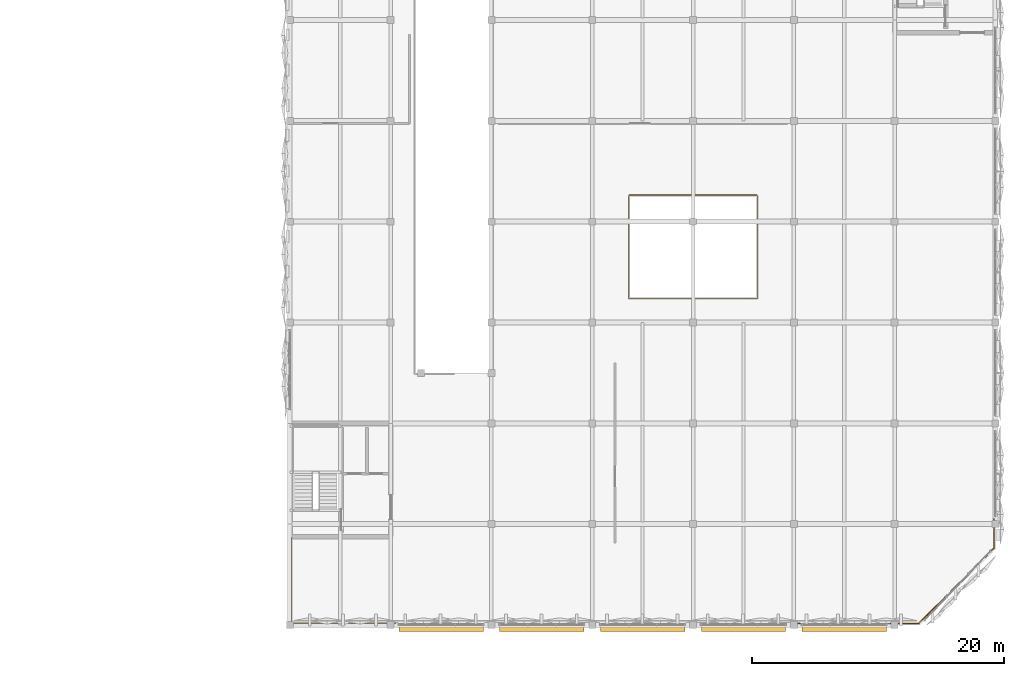
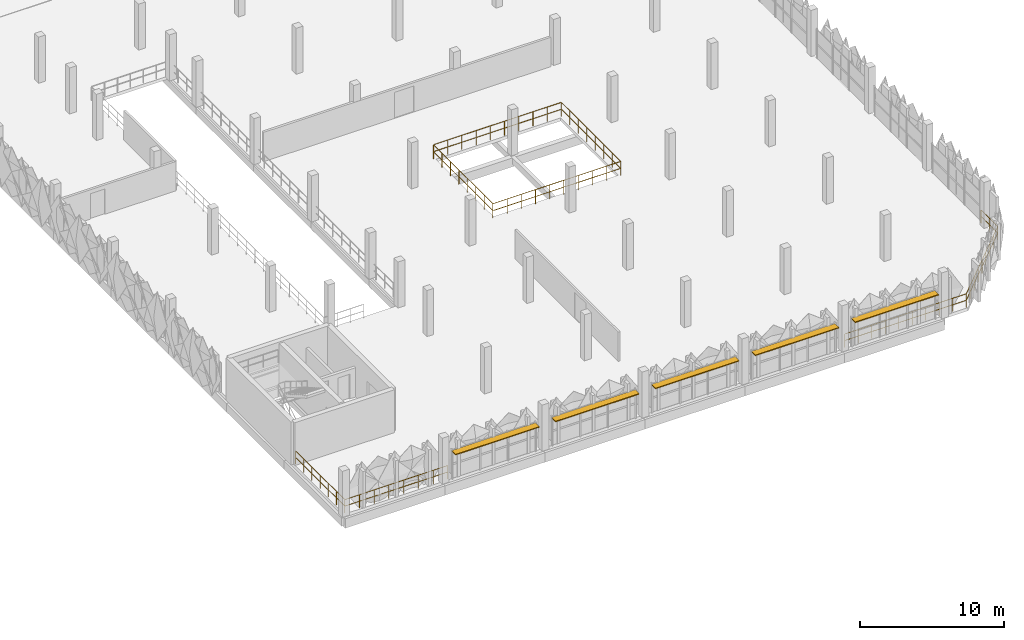
# One storey, part 77 of 83: 5 shading devices, 3 railings.
"""IFC4 building model written with IfcOpenShell, lengths in metres."""

import ifcopenshell
import ifcopenshell.guid

model = None  # the IFC model being written
_history = None  # IfcOwnerHistory: only IFC2X3 demands one
_inside = {}  # id of a spatial element -> (the spatial element, [elements in it])
_under = {}  # id of a project, library or spatial element -> (it, [spatial elements below it])
_declared = {}  # id of a project -> (the project, [libraries it declares])
_typed = {}  # id of a type object -> (the type object, [elements of that type])
_made_of = {}  # id of a material, layer set ... -> (it, [elements and type objects made of it])


def new_model(schema):
    """Start an empty IFC model of exactly this schema.

    Asked for "IFC4X3", IfcOpenShell would pick the latest addendum, in which some entities
    have other attributes; the version numbers below select the first issue.
    IFC2X3 requires an IfcOwnerHistory on every rooted entity: one is made here for all.
    """
    global model, _history
    if schema == "IFC4X3":
        model = ifcopenshell.file(schema_version=(4, 3, 0, 0))
    else:
        model = ifcopenshell.file(schema=schema)
    _inside.clear()
    _under.clear()
    _declared.clear()
    _typed.clear()
    _made_of.clear()
    _history = None
    if model.schema == "IFC2X3":
        org = make("IfcOrganization", Name="unknown")
        user = make(
            "IfcPersonAndOrganization",
            ThePerson=make("IfcPerson", FamilyName="unknown"),
            TheOrganization=org,
        )
        app = make(
            "IfcApplication",
            ApplicationDeveloper=org,
            Version="unknown",
            ApplicationFullName="unknown",
            ApplicationIdentifier="unknown",
        )
        _history = make(
            "IfcOwnerHistory",
            OwningUser=user,
            OwningApplication=app,
            ChangeAction="ADDED",
            CreationDate=0,
        )
    return model


def make(cls, **values):
    """One entity of the class cls with the attributes given. An attribute that is None is left unset."""
    return model.create_entity(
        cls, **{name: value for name, value in values.items() if value is not None}
    )


def rooted(cls, **values):
    """An entity with a GlobalId (a new one), such as an element, a storey or a relation."""
    return make(cls, GlobalId=ifcopenshell.guid.new(), OwnerHistory=_history, **values)


def si_unit(unit_type, name, prefix=None):
    """IfcSIUnit, for example si_unit("LENGTHUNIT", "METRE", prefix="MILLI")."""
    return make("IfcSIUnit", UnitType=unit_type, Prefix=prefix, Name=name)


def derived_unit(unit_type, elements):
    """IfcDerivedUnit: a product of units, each with its exponent."""
    return make(
        "IfcDerivedUnit",
        Elements=[
            make("IfcDerivedUnitElement", Unit=unit, Exponent=power)
            for unit, power in elements
        ],
        UnitType=unit_type,
    )


def assignment(units):
    """IfcUnitAssignment: the units of a project."""
    return None if units is None else make("IfcUnitAssignment", Units=units)


def point(xyz):
    """IfcCartesianPoint."""
    return None if xyz is None else make("IfcCartesianPoint", Coordinates=xyz)


def direction(xyz):
    """IfcDirection."""
    return None if xyz is None else make("IfcDirection", DirectionRatios=xyz)


def frame(location, z_axis=None, x_axis=None):
    """IfcAxis2Placement3D, a coordinate frame: its origin and axes. An axis left out is left unset."""
    return make(
        "IfcAxis2Placement3D",
        Location=point(location),
        Axis=direction(z_axis),
        RefDirection=direction(x_axis),
    )


def frame_2d(location, x_axis=None):
    """IfcAxis2Placement2D, a coordinate frame in the plane: its origin and x axis."""
    return make(
        "IfcAxis2Placement2D", Location=point(location), RefDirection=direction(x_axis)
    )


def origin():
    """The frame at (0, 0, 0) with its axes left unset."""
    return frame((0.0, 0.0, 0.0))


def origin_2d():
    """The frame at (0, 0) in the plane with its x axis left unset."""
    return frame_2d((0.0, 0.0))


def place(relative_to, where):
    """IfcLocalPlacement: puts the frame where relative to a parent placement (None: the world)."""
    return make(
        "IfcLocalPlacement", PlacementRelTo=relative_to, RelativePlacement=where
    )


def context(
    kind, dimensions, precision=None, world=None, true_north=None, identifier=None
):
    """IfcGeometricRepresentationContext, for example the 3D "Model" context."""
    return make(
        "IfcGeometricRepresentationContext",
        ContextIdentifier=identifier,
        ContextType=kind,
        CoordinateSpaceDimension=dimensions,
        Precision=precision,
        WorldCoordinateSystem=world,
        TrueNorth=true_north,
    )


def subcontext(parent, identifier, kind, view, scale=None):
    """IfcGeometricRepresentationSubContext, for example "Body" below "Model"."""
    return make(
        "IfcGeometricRepresentationSubContext",
        ContextIdentifier=identifier,
        ContextType=kind,
        ParentContext=parent,
        TargetScale=scale,
        TargetView=view,
    )


def project(units=None, contexts=None):
    """IfcProject with its units and contexts."""
    return rooted(
        "IfcProject",
        Name="project",
        RepresentationContexts=contexts,
        UnitsInContext=assignment(units),
    )


def spatial(cls, under=None, at=None, **own):
    """A site, building, storey or space (cls), placed at a placement, below another one or the project."""
    s = rooted(cls, ObjectPlacement=at, **own)
    if under is not None:
        _under.setdefault(under.id(), (under, []))[1].append(s)
    return s


def profile(cls, at=None, kind="AREA", **sizes):
    """A parametric profile (cls). Its sizes go by their IFC names, for example OverallWidth=200.0."""
    return make(cls, ProfileType=kind, Position=at, **sizes)


def rectangle(**sizes):
    """IfcRectangleProfileDef."""
    return profile("IfcRectangleProfileDef", **sizes)


def circle(**sizes):
    """IfcCircleProfileDef."""
    return profile("IfcCircleProfileDef", **sizes)


def extrude(swept, where, along, depth):
    """IfcExtrudedAreaSolid: the profile swept, set in the frame where, extruded along a direction by depth."""
    return make(
        "IfcExtrudedAreaSolid",
        SweptArea=swept,
        Position=where,
        ExtrudedDirection=direction(along),
        Depth=depth,
    )


def shape(context_of_items, identifier, shape_type, items):
    """IfcShapeRepresentation: the items that make up one representation, for example the "Body"."""
    return make(
        "IfcShapeRepresentation",
        ContextOfItems=context_of_items,
        RepresentationIdentifier=identifier,
        RepresentationType=shape_type,
        Items=items,
    )


def material(Name=None, Category=None):
    """IfcMaterial."""
    return make("IfcMaterial", Name=Name, Category=Category)


def material_profile(
    of_material, cross_section, Name=None, Category=None, Priority=None
):
    """IfcMaterialProfile: a cross section and its material."""
    return make(
        "IfcMaterialProfile",
        Name=Name,
        Material=of_material,
        Profile=cross_section,
        Priority=Priority,
        Category=Category,
    )


def profile_set(profiles, Name=None, composite=None):
    """IfcMaterialProfileSet."""
    return make(
        "IfcMaterialProfileSet",
        Name=Name,
        MaterialProfiles=profiles,
        CompositeProfile=composite,
    )


def made_of(thing, what):
    """Note that an element or type object is made of a material, layer set ...; save() writes the relation."""
    if what is not None:
        _made_of.setdefault(what.id(), (what, []))[1].append(thing)
    return thing


def type_object(cls, material=None, **own):
    """A type object (cls), such as IfcWallType, which elements share."""
    return made_of(rooted(cls, **own), material)


def element(
    cls,
    number,
    at=None,
    inside=None,
    cuts=None,
    type_object=None,
    material=None,
    context=None,
    identifier="Body",
    shape_type=None,
    held_by="IfcProductDefinitionShape",
    body=None,
    shapes=None,
    **own,
):
    """One element of the class cls, such as IfcWall. Its Tag is "e" and its number.

    at: its placement. inside: the storey or other place that contains it. cuts: it is an
    opening in that element (IfcRelVoidsElement). A single representation is given by context,
    identifier, shape_type and body (its items); several are given by shapes. held_by: the class
    of the entity that holds the representations. save() writes the other relations.
    """
    e = rooted(cls, Tag="e%d" % number, ObjectPlacement=at, **own)
    if body is not None:
        shapes = [shape(context, identifier, shape_type, body)]
    if shapes is not None:
        e.Representation = make(held_by, Representations=shapes)
    if inside is not None:
        _inside.setdefault(inside.id(), (inside, []))[1].append(e)
    if cuts is not None:
        rooted(
            "IfcRelVoidsElement", RelatingBuildingElement=cuts, RelatedOpeningElement=e
        )
    if type_object is not None:
        _typed.setdefault(type_object.id(), (type_object, []))[1].append(e)
    return made_of(e, material)


def aggregate(whole, parts):
    """IfcRelAggregates: a whole, such as a stair, and the parts it consists of."""
    return rooted("IfcRelAggregates", RelatingObject=whole, RelatedObjects=parts)


def save(model, path):
    """Write the relations noted so far, then the file.

    IfcRelAggregates (storeys below a building ...), IfcRelContainedInSpatialStructure (elements
    in a storey), IfcRelDefinesByType, IfcRelAssociatesMaterial and IfcRelDeclares: one each for
    every whole, place, type object, material and project.
    """
    for whole, parts in _under.values():
        aggregate(whole, parts)
    for where, things in _inside.values():
        rooted(
            "IfcRelContainedInSpatialStructure",
            RelatedElements=things,
            RelatingStructure=where,
        )
    for kind, things in _typed.values():
        rooted("IfcRelDefinesByType", RelatedObjects=things, RelatingType=kind)
    for what, things in _made_of.values():
        rooted("IfcRelAssociatesMaterial", RelatedObjects=things, RelatingMaterial=what)
    for by, libraries in _declared.values():
        rooted("IfcRelDeclares", RelatingContext=by, RelatedDefinitions=libraries)
    model.write(path)


model = new_model("IFC4")

# Units and contexts
model_context = context("Model", 3, precision=1e-05, world=origin(), true_north=direction((0.0, 1.0)))
body_context = subcontext(model_context, "Body", "Model", "MODEL_VIEW")
ifc_project = project(units=[si_unit("LENGTHUNIT", "METRE"), si_unit("AREAUNIT", "SQUARE_METRE"), si_unit("VOLUMEUNIT", "CUBIC_METRE"), si_unit("PLANEANGLEUNIT", "RADIAN"), si_unit("MASSUNIT", "GRAM", prefix="KILO"), si_unit("THERMODYNAMICTEMPERATUREUNIT", "KELVIN"), derived_unit("THERMALTRANSMITTANCEUNIT", [(si_unit("POWERUNIT", "WATT"), 1), (si_unit("AREAUNIT", "SQUARE_METRE"), -1), (si_unit("THERMODYNAMICTEMPERATUREUNIT", "KELVIN"), -1)])], contexts=[model_context])

# Site, building, storey
site_placement = place(None, origin())
site = spatial("IfcSite", under=ifc_project, at=site_placement, CompositionType="ELEMENT")
building_placement = place(site_placement, origin())
building = spatial("IfcBuilding", under=site, at=building_placement, Name="Haiyu Intermodal Mobility Hub", CompositionType="ELEMENT")
storey_placement = place(building_placement, frame((0.0, 0.0, 13.39990234375)))
storey = spatial("IfcBuildingStorey", under=building, at=storey_placement, Name="L03", CompositionType="ELEMENT", Elevation=13.39990234375)

# Railings
ifc_material_1 = material(Name="Steel Q355C", Category="steel")
railing_type_1 = type_object("IfcRailingType", Name="RAL-GR02", PredefinedType="GUARDRAIL", material=ifc_material_1)
railing_1_placement = place(storey_placement, frame((180.8798828125, 41.8798828125, 0.0)))
element("IfcRailing", 1, at=railing_1_placement, inside=storey, type_object=railing_type_1, Name="RAL-V5ATR-L03", PredefinedType="GUARDRAIL", context=body_context, shape_type="SweptSolid", body=[
    extrude(circle(Radius=0.02392578125, at=origin_2d()), frame((0.030029296875, 0.0, 1.19580078125), z_axis=(1.0, 0.0, 0.0), x_axis=(0.0, 1.0, 0.0)), (0.0, 0.0, 1.0), 10.18017578125),
    extrude(circle(Radius=0.02392578125, at=origin_2d()), frame((0.037353515625, 0.0, 0.60986328125), z_axis=(1.0, 0.0, 0.0), x_axis=(0.0, 1.0, 0.0)), (0.0, 0.0, 1.0), 1.063232421875),
    extrude(circle(Radius=0.02392578125, at=origin_2d()), frame((1.175048828125, 0.0, 0.60986328125), z_axis=(1.0, 0.0, 0.0), x_axis=(0.0, 1.0, 0.0)), (0.0, 0.0, 1.0), 1.063232421875),
    extrude(circle(Radius=0.02392578125, at=origin_2d()), frame((2.31298828125, 0.0, 0.60986328125), z_axis=(1.0, 0.0, 0.0), x_axis=(0.0, 1.0, 0.0)), (0.0, 0.0, 1.0), 1.063232421875),
    extrude(circle(Radius=0.02392578125, at=origin_2d()), frame((3.45068359375, 0.0, 0.60986328125), z_axis=(1.0, 0.0, 0.0), x_axis=(0.0, 1.0, 0.0)), (0.0, 0.0, 1.0), 1.063232421875),
    extrude(circle(Radius=0.02392578125, at=origin_2d()), frame((4.588623046875, 0.0, 0.60986328125), z_axis=(1.0, 0.0, 0.0), x_axis=(0.0, 1.0, 0.0)), (0.0, 0.0, 1.0), 1.063232421875),
    extrude(circle(Radius=0.02392578125, at=origin_2d()), frame((5.726318359375, 0.0, 0.60986328125), z_axis=(1.0, 0.0, 0.0), x_axis=(0.0, 1.0, 0.0)), (0.0, 0.0, 1.0), 1.063232421875),
    extrude(circle(Radius=0.02392578125, at=origin_2d()), frame((6.864013671875, 0.0, 0.60986328125), z_axis=(1.0, 0.0, 0.0), x_axis=(0.0, 1.0, 0.0)), (0.0, 0.0, 1.0), 1.063232421875),
    extrude(circle(Radius=0.02392578125, at=origin_2d()), frame((8.001953125, 0.0, 0.60986328125), z_axis=(1.0, 0.0, 0.0), x_axis=(0.0, 1.0, 0.0)), (0.0, 0.0, 1.0), 1.063232421875),
    extrude(circle(Radius=0.02392578125, at=origin_2d()), frame((9.1396484375, 0.0, 0.60986328125), z_axis=(1.0, 0.0, 0.0), x_axis=(0.0, 1.0, 0.0)), (0.0, 0.0, 1.0), 1.063232421875),
    extrude(circle(Radius=0.02392578125, at=origin_2d()), frame((10.240234375, 0.030029296875, 1.19580078125), z_axis=(0.0, 1.0, 0.0), x_axis=(-1.0, 0.0, 0.0)), (0.0, 0.0, 1.0), 8.18017578125),
    extrude(circle(Radius=0.02392578125, at=origin_2d()), frame((10.240234375, 0.037353515625, 0.60986328125), z_axis=(0.0, 1.0, 0.0), x_axis=(-1.0, 0.0, 0.0)), (0.0, 0.0, 1.0), 1.1025390625),
    extrude(circle(Radius=0.02392578125, at=origin_2d()), frame((10.240234375, 1.21435546875, 0.60986328125), z_axis=(0.0, 1.0, 0.0), x_axis=(-1.0, 0.0, 0.0)), (0.0, 0.0, 1.0), 1.1025390625),
    extrude(circle(Radius=0.02392578125, at=origin_2d()), frame((10.240234375, 2.3916015625, 0.60986328125), z_axis=(0.0, 1.0, 0.0), x_axis=(-1.0, 0.0, 0.0)), (0.0, 0.0, 1.0), 1.1025390625),
    extrude(circle(Radius=0.02392578125, at=origin_2d()), frame((10.240234375, 3.56884765625, 0.60986328125), z_axis=(0.0, 1.0, 0.0), x_axis=(-1.0, 0.0, 0.0)), (0.0, 0.0, 1.0), 1.1025390625),
    extrude(circle(Radius=0.02392578125, at=origin_2d()), frame((10.240234375, 4.74609375, 0.60986328125), z_axis=(0.0, 1.0, 0.0), x_axis=(-1.0, 0.0, 0.0)), (0.0, 0.0, 1.0), 1.1025390625),
    extrude(circle(Radius=0.02392578125, at=origin_2d()), frame((10.240234375, 5.923095703125, 0.60986328125), z_axis=(0.0, 1.0, 0.0), x_axis=(-1.0, 0.0, 0.0)), (0.0, 0.0, 1.0), 1.1025390625),
    extrude(circle(Radius=0.02392578125, at=origin_2d()), frame((10.240234375, 7.100341796875, 0.60986328125), z_axis=(0.0, 1.0, 0.0), x_axis=(-1.0, 0.0, 0.0)), (0.0, 0.0, 1.0), 1.1025390625),
    extrude(circle(Radius=0.02392578125, at=origin_2d()), frame((10.210205078125, 8.240234375, 1.19580078125), z_axis=(-1.0, 0.0, 0.0), x_axis=(0.0, -1.0, 0.0)), (0.0, 0.0, 1.0), 10.18017578125),
    extrude(circle(Radius=0.02392578125, at=origin_2d()), frame((10.202880859375, 8.240234375, 0.60986328125), z_axis=(-1.0, 0.0, 0.0), x_axis=(0.0, -1.0, 0.0)), (0.0, 0.0, 1.0), 1.063232421875),
    extrude(circle(Radius=0.02392578125, at=origin_2d()), frame((9.065185546875, 8.240234375, 0.60986328125), z_axis=(-1.0, 0.0, 0.0), x_axis=(0.0, -1.0, 0.0)), (0.0, 0.0, 1.0), 1.063232421875),
    extrude(circle(Radius=0.02392578125, at=origin_2d()), frame((7.92724609375, 8.240234375, 0.60986328125), z_axis=(-1.0, 0.0, 0.0), x_axis=(0.0, -1.0, 0.0)), (0.0, 0.0, 1.0), 1.063232421875),
    extrude(circle(Radius=0.02392578125, at=origin_2d()), frame((6.78955078125, 8.240234375, 0.60986328125), z_axis=(-1.0, 0.0, 0.0), x_axis=(0.0, -1.0, 0.0)), (0.0, 0.0, 1.0), 1.063232421875),
    extrude(circle(Radius=0.02392578125, at=origin_2d()), frame((5.651611328125, 8.240234375, 0.60986328125), z_axis=(-1.0, 0.0, 0.0), x_axis=(0.0, -1.0, 0.0)), (0.0, 0.0, 1.0), 1.063232421875),
    extrude(circle(Radius=0.02392578125, at=origin_2d()), frame((4.513916015625, 8.240234375, 0.60986328125), z_axis=(-1.0, 0.0, 0.0), x_axis=(0.0, -1.0, 0.0)), (0.0, 0.0, 1.0), 1.063232421875),
    extrude(circle(Radius=0.02392578125, at=origin_2d()), frame((3.376220703125, 8.240234375, 0.60986328125), z_axis=(-1.0, 0.0, 0.0), x_axis=(0.0, -1.0, 0.0)), (0.0, 0.0, 1.0), 1.063232421875),
    extrude(circle(Radius=0.02392578125, at=origin_2d()), frame((2.23828125, 8.240234375, 0.60986328125), z_axis=(-1.0, 0.0, 0.0), x_axis=(0.0, -1.0, 0.0)), (0.0, 0.0, 1.0), 1.063232421875),
    extrude(circle(Radius=0.02392578125, at=origin_2d()), frame((1.1005859375, 8.240234375, 0.60986328125), z_axis=(-1.0, 0.0, 0.0), x_axis=(0.0, -1.0, 0.0)), (0.0, 0.0, 1.0), 1.063232421875),
    extrude(circle(Radius=0.02392578125, at=origin_2d()), frame((0.0, 8.210205078125, 1.19580078125), z_axis=(0.0, -1.0, 0.0), x_axis=(1.0, 0.0, 0.0)), (0.0, 0.0, 1.0), 8.18017578125),
    extrude(circle(Radius=0.02392578125, at=origin_2d()), frame((0.0, 8.202880859375, 0.60986328125), z_axis=(0.0, -1.0, 0.0), x_axis=(1.0, 0.0, 0.0)), (0.0, 0.0, 1.0), 1.1025390625),
    extrude(circle(Radius=0.02392578125, at=origin_2d()), frame((0.0, 7.02587890625, 0.60986328125), z_axis=(0.0, -1.0, 0.0), x_axis=(1.0, 0.0, 0.0)), (0.0, 0.0, 1.0), 1.1025390625),
    extrude(circle(Radius=0.02392578125, at=origin_2d()), frame((0.0, 5.8486328125, 0.60986328125), z_axis=(0.0, -1.0, 0.0), x_axis=(1.0, 0.0, 0.0)), (0.0, 0.0, 1.0), 1.1025390625),
    extrude(circle(Radius=0.02392578125, at=origin_2d()), frame((0.0, 4.67138671875, 0.60986328125), z_axis=(0.0, -1.0, 0.0), x_axis=(1.0, 0.0, 0.0)), (0.0, 0.0, 1.0), 1.1025390625),
    extrude(circle(Radius=0.02392578125, at=origin_2d()), frame((0.0, 3.494140625, 0.60986328125), z_axis=(0.0, -1.0, 0.0), x_axis=(1.0, 0.0, 0.0)), (0.0, 0.0, 1.0), 1.1025390625),
    extrude(circle(Radius=0.02392578125, at=origin_2d()), frame((0.0, 2.317138671875, 0.60986328125), z_axis=(0.0, -1.0, 0.0), x_axis=(1.0, 0.0, 0.0)), (0.0, 0.0, 1.0), 1.1025390625),
    extrude(circle(Radius=0.02392578125, at=origin_2d()), frame((0.0, 1.139892578125, 0.60986328125), z_axis=(0.0, -1.0, 0.0), x_axis=(1.0, 0.0, 0.0)), (0.0, 0.0, 1.0), 1.1025390625),
    extrude(circle(Radius=0.02099609375, at=origin_2d()), origin(), (0.0, 0.0, 1.0), 1.163818359375),
    extrude(circle(Radius=0.02099609375, at=origin_2d()), frame((1.1376953125, 0.0, 0.0)), (0.0, 0.0, 1.0), 1.163818359375),
    extrude(circle(Radius=0.02099609375, at=origin_2d()), frame((2.275634765625, 0.0, 0.0)), (0.0, 0.0, 1.0), 1.163818359375),
    extrude(circle(Radius=0.02099609375, at=origin_2d()), frame((3.413330078125, 0.0, 0.0)), (0.0, 0.0, 1.0), 1.163818359375),
    extrude(circle(Radius=0.02099609375, at=origin_2d()), frame((4.55126953125, 0.0, 0.0)), (0.0, 0.0, 1.0), 1.163818359375),
    extrude(circle(Radius=0.02099609375, at=origin_2d()), frame((5.68896484375, 0.0, 0.0)), (0.0, 0.0, 1.0), 1.163818359375),
    extrude(circle(Radius=0.02099609375, at=origin_2d()), frame((6.826904296875, 0.0, 0.0)), (0.0, 0.0, 1.0), 1.163818359375),
    extrude(circle(Radius=0.02099609375, at=origin_2d()), frame((7.964599609375, 0.0, 0.0)), (0.0, 0.0, 1.0), 1.163818359375),
    extrude(circle(Radius=0.02099609375, at=origin_2d()), frame((9.1025390625, 0.0, 0.0)), (0.0, 0.0, 1.0), 1.163818359375),
    extrude(circle(Radius=0.02099609375, at=origin_2d()), frame((10.240234375, 0.0, 0.0)), (0.0, 0.0, 1.0), 1.163818359375),
    extrude(circle(Radius=0.02099609375, at=origin_2d()), frame((10.240234375, 1.17724609375, 0.0)), (0.0, 0.0, 1.0), 1.163818359375),
    extrude(circle(Radius=0.02099609375, at=origin_2d()), frame((10.240234375, 2.354248046875, 0.0)), (0.0, 0.0, 1.0), 1.163818359375),
    extrude(circle(Radius=0.02099609375, at=origin_2d()), frame((10.240234375, 3.531494140625, 0.0)), (0.0, 0.0, 1.0), 1.163818359375),
    extrude(circle(Radius=0.02099609375, at=origin_2d()), frame((10.240234375, 4.708740234375, 0.0)), (0.0, 0.0, 1.0), 1.163818359375),
    extrude(circle(Radius=0.02099609375, at=origin_2d()), frame((10.240234375, 5.885986328125, 0.0)), (0.0, 0.0, 1.0), 1.163818359375),
    extrude(circle(Radius=0.02099609375, at=origin_2d()), frame((10.240234375, 7.06298828125, 0.0)), (0.0, 0.0, 1.0), 1.163818359375),
    extrude(circle(Radius=0.02099609375, at=origin_2d()), frame((10.240234375, 8.240234375, 0.0)), (0.0, 0.0, 1.0), 1.163818359375),
    extrude(circle(Radius=0.02099609375, at=origin_2d()), frame((9.1025390625, 8.240234375, 0.0)), (0.0, 0.0, 1.0), 1.163818359375),
    extrude(circle(Radius=0.02099609375, at=origin_2d()), frame((7.964599609375, 8.240234375, 0.0)), (0.0, 0.0, 1.0), 1.163818359375),
    extrude(circle(Radius=0.02099609375, at=origin_2d()), frame((6.826904296875, 8.240234375, 0.0)), (0.0, 0.0, 1.0), 1.163818359375),
    extrude(circle(Radius=0.02099609375, at=origin_2d()), frame((5.68896484375, 8.240234375, 0.0)), (0.0, 0.0, 1.0), 1.163818359375),
    extrude(circle(Radius=0.02099609375, at=origin_2d()), frame((4.55126953125, 8.240234375, 0.0)), (0.0, 0.0, 1.0), 1.163818359375),
    extrude(circle(Radius=0.02099609375, at=origin_2d()), frame((3.413330078125, 8.240234375, 0.0)), (0.0, 0.0, 1.0), 1.163818359375),
    extrude(circle(Radius=0.02099609375, at=origin_2d()), frame((2.275634765625, 8.240234375, 0.0)), (0.0, 0.0, 1.0), 1.163818359375),
    extrude(circle(Radius=0.02099609375, at=origin_2d()), frame((1.1376953125, 8.240234375, 0.0)), (0.0, 0.0, 1.0), 1.163818359375),
    extrude(circle(Radius=0.02099609375, at=origin_2d()), frame((0.0, 8.240234375, 0.0)), (0.0, 0.0, 1.0), 1.163818359375),
    extrude(circle(Radius=0.02099609375, at=origin_2d()), frame((0.0, 7.06298828125, 0.0)), (0.0, 0.0, 1.0), 1.163818359375),
    extrude(circle(Radius=0.02099609375, at=origin_2d()), frame((0.0, 5.885986328125, 0.0)), (0.0, 0.0, 1.0), 1.163818359375),
    extrude(circle(Radius=0.02099609375, at=origin_2d()), frame((0.0, 4.708740234375, 0.0)), (0.0, 0.0, 1.0), 1.163818359375),
    extrude(circle(Radius=0.02099609375, at=origin_2d()), frame((0.0, 3.531494140625, 0.0)), (0.0, 0.0, 1.0), 1.163818359375),
    extrude(circle(Radius=0.02099609375, at=origin_2d()), frame((0.0, 2.354248046875, 0.0)), (0.0, 0.0, 1.0), 1.163818359375),
    extrude(circle(Radius=0.02099609375, at=origin_2d()), frame((0.0, 1.17724609375, 0.0)), (0.0, 0.0, 1.0), 1.163818359375),
])
railing_type_2 = type_object("IfcRailingType", Name="RAL-GR03", PredefinedType="GUARDRAIL", material=ifc_material_1)
railing_2_placement = place(storey_placement, frame((194.199951171875, 16.1201171875, 0.0)))
element("IfcRailing", 2, at=railing_2_placement, inside=storey, type_object=railing_type_2, Name="RAL-V5CH-L03", PredefinedType="GUARDRAIL", context=body_context, shape_type="SweptSolid", body=[
    extrude(circle(Radius=0.02392578125, at=origin_2d()), frame((0.030029296875, 0.0, 1.1259765625), z_axis=(1.0, 0.0, 0.0), x_axis=(0.0, 1.0, 0.0)), (0.0, 0.0, 1.0), 9.659912109375),
    extrude(circle(Radius=0.02392578125, at=origin_2d()), frame((0.037353515625, 0.0, 0.574951171875), z_axis=(1.0, 0.0, 0.0), x_axis=(0.0, 1.0, 0.0)), (0.0, 0.0, 1.0), 1.00537109375),
    extrude(circle(Radius=0.02392578125, at=origin_2d()), frame((1.1171875, 0.0, 0.574951171875), z_axis=(1.0, 0.0, 0.0), x_axis=(0.0, 1.0, 0.0)), (0.0, 0.0, 1.0), 1.00537109375),
    extrude(circle(Radius=0.02392578125, at=origin_2d()), frame((2.197265625, 0.0, 0.574951171875), z_axis=(1.0, 0.0, 0.0), x_axis=(0.0, 1.0, 0.0)), (0.0, 0.0, 1.0), 1.00537109375),
    extrude(circle(Radius=0.02392578125, at=origin_2d()), frame((3.27734375, 0.0, 0.574951171875), z_axis=(1.0, 0.0, 0.0), x_axis=(0.0, 1.0, 0.0)), (0.0, 0.0, 1.0), 1.00537109375),
    extrude(circle(Radius=0.02392578125, at=origin_2d()), frame((4.357177734375, 0.0, 0.574951171875), z_axis=(1.0, 0.0, 0.0), x_axis=(0.0, 1.0, 0.0)), (0.0, 0.0, 1.0), 1.00537109375),
    extrude(circle(Radius=0.02392578125, at=origin_2d()), frame((5.437255859375, 0.0, 0.574951171875), z_axis=(1.0, 0.0, 0.0), x_axis=(0.0, 1.0, 0.0)), (0.0, 0.0, 1.0), 1.00537109375),
    extrude(circle(Radius=0.02392578125, at=origin_2d()), frame((6.517333984375, 0.0, 0.574951171875), z_axis=(1.0, 0.0, 0.0), x_axis=(0.0, 1.0, 0.0)), (0.0, 0.0, 1.0), 1.00537109375),
    extrude(circle(Radius=0.02392578125, at=origin_2d()), frame((7.59716796875, 0.0, 0.574951171875), z_axis=(1.0, 0.0, 0.0), x_axis=(0.0, 1.0, 0.0)), (0.0, 0.0, 1.0), 1.00537109375),
    extrude(circle(Radius=0.02392578125, at=origin_2d()), frame((8.67724609375, 0.0, 0.574951171875), z_axis=(1.0, 0.0, 0.0), x_axis=(0.0, 1.0, 0.0)), (0.0, 0.0, 1.0), 1.00537109375),
    extrude(circle(Radius=0.02392578125, at=origin_2d()), frame((9.7412109375, 0.021240234375, 1.1259765625), z_axis=(0.707106781187, 0.707106781187, 0.0), x_axis=(-0.707106781187, 0.707106781187, 0.0)), (0.0, 0.0, 1.0), 8.36865234375),
    extrude(circle(Radius=0.02392578125, at=origin_2d()), frame((9.746337890625, 0.0263671875, 0.574951171875), z_axis=(0.707106781187, 0.707106781187, 0.0), x_axis=(-0.707106781187, 0.707106781187, 0.0)), (0.0, 0.0, 1.0), 0.97900390625),
    extrude(circle(Radius=0.02392578125, at=origin_2d()), frame((10.491455078125, 0.771484375, 0.574951171875), z_axis=(0.707106781187, 0.707106781187, 0.0), x_axis=(-0.707106781187, 0.707106781187, 0.0)), (0.0, 0.0, 1.0), 0.97900390625),
    extrude(circle(Radius=0.02392578125, at=origin_2d()), frame((11.236328125, 1.516357421875, 0.574951171875), z_axis=(0.707106781187, 0.707106781187, 0.0), x_axis=(-0.707106781187, 0.707106781187, 0.0)), (0.0, 0.0, 1.0), 0.97900390625),
    extrude(circle(Radius=0.02392578125, at=origin_2d()), frame((11.9814453125, 2.261474609375, 0.574951171875), z_axis=(0.707106781187, 0.707106781187, 0.0), x_axis=(-0.707106781187, 0.707106781187, 0.0)), (0.0, 0.0, 1.0), 0.97900390625),
    extrude(circle(Radius=0.02392578125, at=origin_2d()), frame((12.726318359375, 3.00634765625, 0.574951171875), z_axis=(0.707106781187, 0.707106781187, 0.0), x_axis=(-0.707106781187, 0.707106781187, 0.0)), (0.0, 0.0, 1.0), 0.97900390625),
    extrude(circle(Radius=0.02392578125, at=origin_2d()), frame((13.471435546875, 3.75146484375, 0.574951171875), z_axis=(0.707106781187, 0.707106781187, 0.0), x_axis=(-0.707106781187, 0.707106781187, 0.0)), (0.0, 0.0, 1.0), 0.97900390625),
    extrude(circle(Radius=0.02392578125, at=origin_2d()), frame((14.21630859375, 4.496337890625, 0.574951171875), z_axis=(0.707106781187, 0.707106781187, 0.0), x_axis=(-0.707106781187, 0.707106781187, 0.0)), (0.0, 0.0, 1.0), 0.97900390625),
    extrude(circle(Radius=0.02392578125, at=origin_2d()), frame((14.96142578125, 5.241455078125, 0.574951171875), z_axis=(0.707106781187, 0.707106781187, 0.0), x_axis=(-0.707106781187, 0.707106781187, 0.0)), (0.0, 0.0, 1.0), 0.97900390625),
    extrude(circle(Radius=0.02392578125, at=origin_2d()), frame((15.679931640625, 5.989990234375, 1.1259765625), z_axis=(0.0, 1.0, 0.0), x_axis=(-1.0, 0.0, 0.0)), (0.0, 0.0, 1.0), 2.259765625),
    extrude(circle(Radius=0.02392578125, at=origin_2d()), frame((15.679931640625, 5.997314453125, 0.574951171875), z_axis=(0.0, 1.0, 0.0), x_axis=(-1.0, 0.0, 0.0)), (0.0, 0.0, 1.0), 1.085205078125),
    extrude(circle(Radius=0.02392578125, at=origin_2d()), frame((15.679931640625, 7.1572265625, 0.574951171875), z_axis=(0.0, 1.0, 0.0), x_axis=(-1.0, 0.0, 0.0)), (0.0, 0.0, 1.0), 1.085205078125),
    extrude(circle(Radius=0.02099609375, at=origin_2d()), origin(), (0.0, 0.0, 1.0), 1.09375),
    extrude(circle(Radius=0.02099609375, at=origin_2d()), frame((1.080078125, 0.0, 0.0)), (0.0, 0.0, 1.0), 1.09375),
    extrude(circle(Radius=0.02099609375, at=origin_2d()), frame((2.159912109375, 0.0, 0.0)), (0.0, 0.0, 1.0), 1.09375),
    extrude(circle(Radius=0.02099609375, at=origin_2d()), frame((3.239990234375, 0.0, 0.0)), (0.0, 0.0, 1.0), 1.09375),
    extrude(circle(Radius=0.02099609375, at=origin_2d()), frame((4.320068359375, 0.0, 0.0)), (0.0, 0.0, 1.0), 1.09375),
    extrude(circle(Radius=0.02099609375, at=origin_2d()), frame((5.39990234375, 0.0, 0.0)), (0.0, 0.0, 1.0), 1.09375),
    extrude(circle(Radius=0.02099609375, at=origin_2d()), frame((6.47998046875, 0.0, 0.0)), (0.0, 0.0, 1.0), 1.09375),
    extrude(circle(Radius=0.02099609375, at=origin_2d()), frame((7.56005859375, 0.0, 0.0)), (0.0, 0.0, 1.0), 1.09375),
    extrude(circle(Radius=0.02099609375, at=origin_2d()), frame((8.639892578125, 0.0, 0.0)), (0.0, 0.0, 1.0), 1.09375),
    extrude(circle(Radius=0.02099609375, at=origin_2d()), frame((9.719970703125, 0.0, 0.0)), (0.0, 0.0, 1.0), 1.09375),
    extrude(circle(Radius=0.02099609375, at=origin_2d()), frame((10.46484375, 0.7451171875, 0.0)), (0.0, 0.0, 1.0), 1.09375),
    extrude(circle(Radius=0.02099609375, at=origin_2d()), frame((11.2099609375, 1.489990234375, 0.0)), (0.0, 0.0, 1.0), 1.09375),
    extrude(circle(Radius=0.02099609375, at=origin_2d()), frame((11.955078125, 2.23486328125, 0.0)), (0.0, 0.0, 1.0), 1.09375),
    extrude(circle(Radius=0.02099609375, at=origin_2d()), frame((12.699951171875, 2.97998046875, 0.0)), (0.0, 0.0, 1.0), 1.09375),
    extrude(circle(Radius=0.02099609375, at=origin_2d()), frame((13.44482421875, 3.72509765625, 0.0)), (0.0, 0.0, 1.0), 1.09375),
    extrude(circle(Radius=0.02099609375, at=origin_2d()), frame((14.18994140625, 4.469970703125, 0.0)), (0.0, 0.0, 1.0), 1.09375),
    extrude(circle(Radius=0.02099609375, at=origin_2d()), frame((14.93505859375, 5.21484375, 0.0)), (0.0, 0.0, 1.0), 1.09375),
    extrude(circle(Radius=0.02099609375, at=origin_2d()), frame((15.679931640625, 5.9599609375, 0.0)), (0.0, 0.0, 1.0), 1.09375),
    extrude(circle(Radius=0.02099609375, at=origin_2d()), frame((15.679931640625, 7.119873046875, 0.0)), (0.0, 0.0, 1.0), 1.09375),
    extrude(circle(Radius=0.02099609375, at=origin_2d()), frame((15.679931640625, 8.27978515625, 0.0)), (0.0, 0.0, 1.0), 1.09375),
])
railing_3_placement = place(storey_placement, frame((154.139892578125, 22.949951171875, 0.0)))
element("IfcRailing", 3, at=railing_3_placement, inside=storey, type_object=railing_type_2, Name="RAL-V5SW-L03", PredefinedType="GUARDRAIL", context=body_context, shape_type="SweptSolid", body=[
    extrude(circle(Radius=0.02392578125, at=origin_2d()), frame((0.0, -0.030029296875, 1.1259765625), z_axis=(0.0, -1.0, 0.0), x_axis=(1.0, 0.0, 0.0)), (0.0, 0.0, 1.0), 6.769775390625),
    extrude(circle(Radius=0.02392578125, at=origin_2d()), frame((0.0, -0.037353515625, 0.574951171875), z_axis=(0.0, -1.0, 0.0), x_axis=(1.0, 0.0, 0.0)), (0.0, 0.0, 1.0), 1.063720703125),
    extrude(circle(Radius=0.02392578125, at=origin_2d()), frame((0.0, -1.175537109375, 0.574951171875), z_axis=(0.0, -1.0, 0.0), x_axis=(1.0, 0.0, 0.0)), (0.0, 0.0, 1.0), 1.063720703125),
    extrude(circle(Radius=0.02392578125, at=origin_2d()), frame((0.0, -2.31396484375, 0.574951171875), z_axis=(0.0, -1.0, 0.0), x_axis=(1.0, 0.0, 0.0)), (0.0, 0.0, 1.0), 1.063720703125),
    extrude(circle(Radius=0.02392578125, at=origin_2d()), frame((0.0, -3.4521484375, 0.574951171875), z_axis=(0.0, -1.0, 0.0), x_axis=(1.0, 0.0, 0.0)), (0.0, 0.0, 1.0), 1.063720703125),
    extrude(circle(Radius=0.02392578125, at=origin_2d()), frame((0.0, -4.590576171875, 0.574951171875), z_axis=(0.0, -1.0, 0.0), x_axis=(1.0, 0.0, 0.0)), (0.0, 0.0, 1.0), 1.063720703125),
    extrude(circle(Radius=0.02392578125, at=origin_2d()), frame((0.0, -5.728759765625, 0.574951171875), z_axis=(0.0, -1.0, 0.0), x_axis=(1.0, 0.0, 0.0)), (0.0, 0.0, 1.0), 1.063720703125),
    extrude(circle(Radius=0.02392578125, at=origin_2d()), frame((0.030029296875, -6.829833984375, 1.1259765625), z_axis=(1.0, 0.0, 0.0), x_axis=(0.0, 1.0, 0.0)), (0.0, 0.0, 1.0), 8.199951171875),
    extrude(circle(Radius=0.02392578125, at=origin_2d()), frame((0.037353515625, -6.829833984375, 0.574951171875), z_axis=(1.0, 0.0, 0.0), x_axis=(0.0, 1.0, 0.0)), (0.0, 0.0, 1.0), 1.10546875),
    extrude(circle(Radius=0.02392578125, at=origin_2d()), frame((1.21728515625, -6.829833984375, 0.574951171875), z_axis=(1.0, 0.0, 0.0), x_axis=(0.0, 1.0, 0.0)), (0.0, 0.0, 1.0), 1.10546875),
    extrude(circle(Radius=0.02392578125, at=origin_2d()), frame((2.397216796875, -6.829833984375, 0.574951171875), z_axis=(1.0, 0.0, 0.0), x_axis=(0.0, 1.0, 0.0)), (0.0, 0.0, 1.0), 1.10546875),
    extrude(circle(Radius=0.02392578125, at=origin_2d()), frame((3.577392578125, -6.829833984375, 0.574951171875), z_axis=(1.0, 0.0, 0.0), x_axis=(0.0, 1.0, 0.0)), (0.0, 0.0, 1.0), 1.10546875),
    extrude(circle(Radius=0.02392578125, at=origin_2d()), frame((4.75732421875, -6.829833984375, 0.574951171875), z_axis=(1.0, 0.0, 0.0), x_axis=(0.0, 1.0, 0.0)), (0.0, 0.0, 1.0), 1.10546875),
    extrude(circle(Radius=0.02392578125, at=origin_2d()), frame((5.937255859375, -6.829833984375, 0.574951171875), z_axis=(1.0, 0.0, 0.0), x_axis=(0.0, 1.0, 0.0)), (0.0, 0.0, 1.0), 1.10546875),
    extrude(circle(Radius=0.02392578125, at=origin_2d()), frame((7.1171875, -6.829833984375, 0.574951171875), z_axis=(1.0, 0.0, 0.0), x_axis=(0.0, 1.0, 0.0)), (0.0, 0.0, 1.0), 1.10546875),
    extrude(circle(Radius=0.02099609375, at=origin_2d()), origin(), (0.0, 0.0, 1.0), 1.09375),
    extrude(circle(Radius=0.02099609375, at=origin_2d()), frame((0.0, -1.13818359375, 0.0)), (0.0, 0.0, 1.0), 1.09375),
    extrude(circle(Radius=0.02099609375, at=origin_2d()), frame((0.0, -2.276611328125, 0.0)), (0.0, 0.0, 1.0), 1.09375),
    extrude(circle(Radius=0.02099609375, at=origin_2d()), frame((0.0, -3.4150390625, 0.0)), (0.0, 0.0, 1.0), 1.09375),
    extrude(circle(Radius=0.02099609375, at=origin_2d()), frame((0.0, -4.55322265625, 0.0)), (0.0, 0.0, 1.0), 1.09375),
    extrude(circle(Radius=0.02099609375, at=origin_2d()), frame((0.0, -5.69140625, 0.0)), (0.0, 0.0, 1.0), 1.09375),
    extrude(circle(Radius=0.02099609375, at=origin_2d()), frame((0.0, -6.829833984375, 0.0)), (0.0, 0.0, 1.0), 1.09375),
    extrude(circle(Radius=0.02099609375, at=origin_2d()), frame((1.179931640625, -6.829833984375, 0.0)), (0.0, 0.0, 1.0), 1.09375),
    extrude(circle(Radius=0.02099609375, at=origin_2d()), frame((2.360107421875, -6.829833984375, 0.0)), (0.0, 0.0, 1.0), 1.09375),
    extrude(circle(Radius=0.02099609375, at=origin_2d()), frame((3.5400390625, -6.829833984375, 0.0)), (0.0, 0.0, 1.0), 1.09375),
    extrude(circle(Radius=0.02099609375, at=origin_2d()), frame((4.719970703125, -6.829833984375, 0.0)), (0.0, 0.0, 1.0), 1.09375),
    extrude(circle(Radius=0.02099609375, at=origin_2d()), frame((5.89990234375, -6.829833984375, 0.0)), (0.0, 0.0, 1.0), 1.09375),
    extrude(circle(Radius=0.02099609375, at=origin_2d()), frame((7.080078125, -6.829833984375, 0.0)), (0.0, 0.0, 1.0), 1.09375),
    extrude(circle(Radius=0.02099609375, at=origin_2d()), frame((8.260009765625, -6.829833984375, 0.0)), (0.0, 0.0, 1.0), 1.09375),
])

# Shading devices
ifc_material_2 = material(Name="Anodised aluminium 6063-T6", Category="aluminium")
ifc_material_profile = material_profile(ifc_material_2, rectangle(XDim=0.080078125, YDim=0.449951171875, at=origin_2d()), Name="FIN80x450")
ifc_profile_set = profile_set([ifc_material_profile], Name="Anodised aluminium 6063-T6")
shading_device_type = type_object("IfcShadingDeviceType", Name="SHD-SD01", PredefinedType="JALOUSIE", material=ifc_profile_set)
for number, where, z_axis, x_axis, name in (
    (4, (166.0, 15.75, 2.29248046875), (0.0, 0.0, 1.0), (1.0, 0.0, 0.0), "SHD-V5S-044"),
    (5, (174.0, 15.75, 2.29248046875), (0.0, 0.0, 1.0), (1.0, 0.0, 0.0), "SHD-V5S-045"),
    (6, (182.0, 15.75, 2.29248046875), (0.0, 0.0, 1.0), (1.0, 0.0, 0.0), "SHD-V5S-046"),
    (7, (190.0, 15.75, 2.29248046875), (0.0, 0.0, 1.0), (1.0, 0.0, 0.0), "SHD-V5S-047"),
    (8, (198.0, 15.75, 2.29248046875), (0.0, 0.0, 1.0), (1.0, 0.0, 0.0), "SHD-V5S-048"),
):
    element("IfcShadingDevice", number, at=place(storey_placement, frame(where, z_axis=z_axis, x_axis=x_axis)), inside=storey, type_object=shading_device_type, Name=name, PredefinedType="JALOUSIE", context=body_context, shape_type="SweptSolid", body=[
        extrude(rectangle(XDim=6.699951171875, YDim=0.550048828125, at=origin_2d()), origin(), (0.0, 0.0, 1.0), 0.074951171875),
    ])

save(model, "model.ifc")
